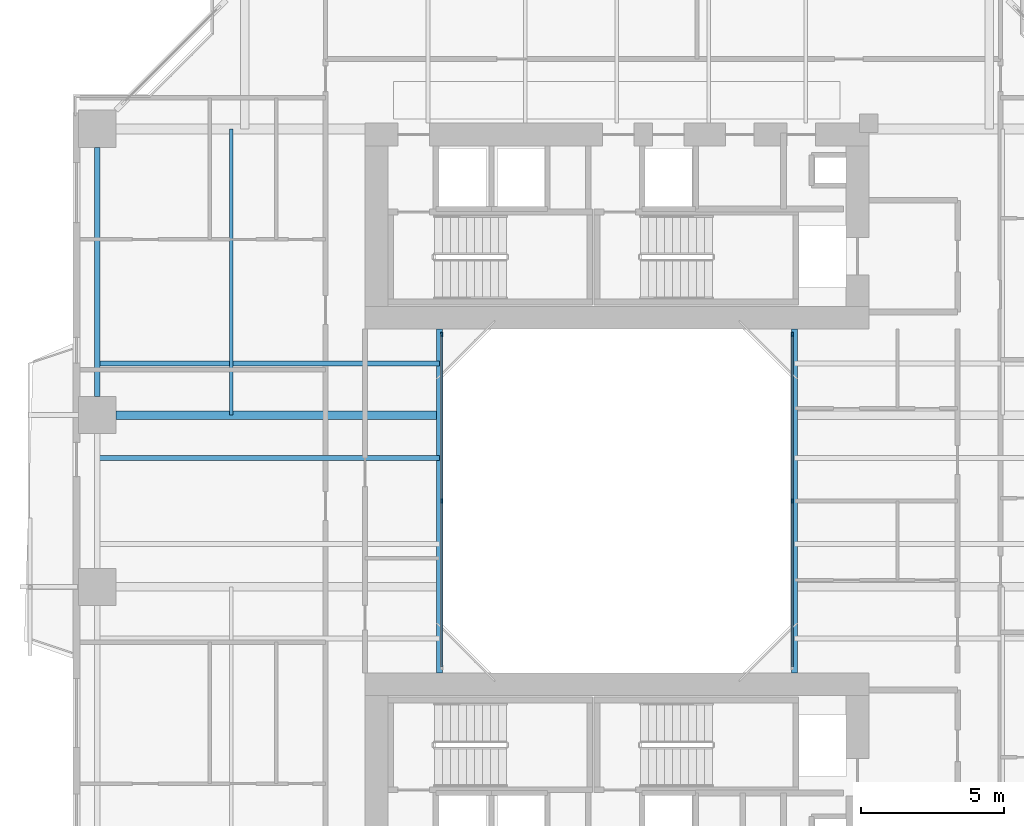
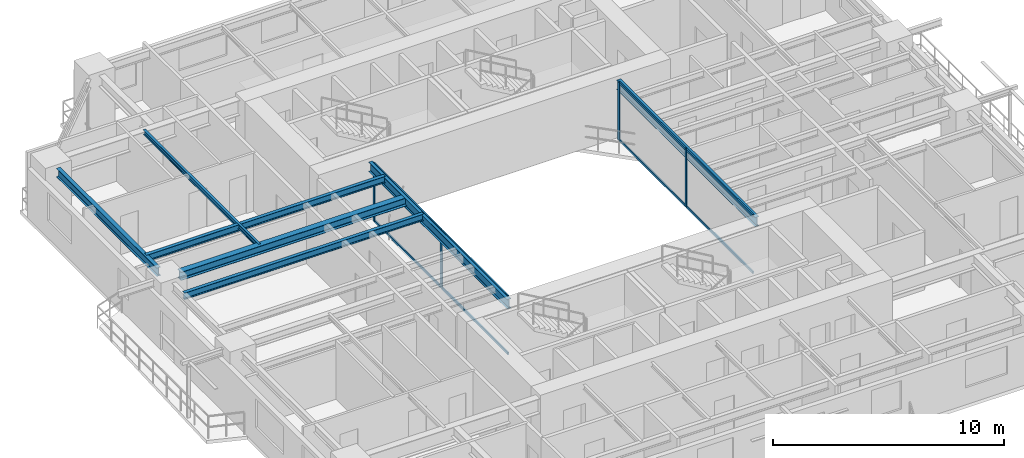
# One storey, part 4 of 24: 12 members, 7 beams, 2 elements without a shape of their own.
"""IFC4 building model written with IfcOpenShell, lengths in metres."""

from ifc_helpers import new_model, si_unit, direction, frame, origin, origin_2d, place, context, subcontext, project, spatial, rectangle, i_section, extrude, source, transform, mapped, material, layer, layer_set, material_profile, profile_set, type_object, element, aggregate, save


model = new_model("IFC4")

# Units and contexts
model_context = context("Model", 3, precision=1e-05, world=origin(), true_north=direction((0.0, 1.0)))
body_context = subcontext(model_context, "Body", "Model", "MODEL_VIEW")
ifc_project = project(units=[si_unit("LENGTHUNIT", "METRE"), si_unit("AREAUNIT", "SQUARE_METRE"), si_unit("VOLUMEUNIT", "CUBIC_METRE"), si_unit("PLANEANGLEUNIT", "RADIAN"), si_unit("MASSUNIT", "GRAM", prefix="KILO"), si_unit("THERMODYNAMICTEMPERATUREUNIT", "KELVIN"), si_unit("POWERUNIT", "WATT")], contexts=[model_context])

# Site, building, storey
site_placement = place(None, origin())
site = spatial("IfcSite", under=ifc_project, at=site_placement, CompositionType="ELEMENT")
building_placement = place(site_placement, origin())
building = spatial("IfcBuilding", under=site, at=building_placement, Name="Qiaomeng Ring Towers", CompositionType="ELEMENT")
storey_placement = place(building_placement, frame((0.0, 0.0, 56.75)))
storey = spatial("IfcBuildingStorey", under=building, at=storey_placement, Name="L15", CompositionType="ELEMENT", Elevation=56.75)

# Beams
ifc_material_1 = material(Name="Steel Q355B", Category="steel")
ifc_material_profile_1 = material_profile(ifc_material_1, i_section(OverallWidth=0.199951171875, OverallDepth=0.5, WebThickness=0.010009765625, FlangeThickness=0.01611328125, FilletRadius=0.02001953125, at=origin_2d()), Name="HN 500x200x10x16")
ifc_profile_set_1 = profile_set([ifc_material_profile_1], Name="Steel Q355B")
beam_type_1 = type_object("IfcBeamType", Name="STR-BM-HN500", PredefinedType="BEAM", material=ifc_profile_set_1)
shared_shape_1 = source(origin(), body_context, "Body", "SweptSolid", [
    extrude(i_section(OverallWidth=0.199951171875, OverallDepth=0.5, WebThickness=0.010009765625, FlangeThickness=0.01611328125, FilletRadius=0.02001953125, at=origin_2d()), origin(), (0.0, 0.0, 1.0), 12.0),
])
for number, where, z_axis, x_axis, name in (
    (1, (12.800048828125, 17.0, 2.820068359375), (0.0, 1.0, 0.0), (-1.0, 0.0, 0.0), "L15 beam STR-BM-L15-WELL-W"),
    (2, (25.199951171875, 17.0, 2.820068359375), (0.0, 1.0, 0.0), (-1.0, 0.0, 0.0), "L15 beam STR-BM-L15-WELL-E"),
):
    element("IfcBeam", number, at=place(storey_placement, frame(where, z_axis=z_axis, x_axis=x_axis)), inside=storey, type_object=beam_type_1, Name=name, PredefinedType="BEAM", context=body_context, shape_type="MappedRepresentation", body=[
        mapped(shared_shape_1, transform((0.0, 0.0, 0.0), x_axis=(1.0, 0.0, 0.0), y_axis=(0.0, 1.0, 0.0), z_axis=(0.0, 0.0, 1.0), scale=1.0)),
    ])
ifc_material_profile_2 = material_profile(ifc_material_1, i_section(OverallWidth=0.199951171875, OverallDepth=0.449951171875, WebThickness=0.009033203125, FlangeThickness=0.013916015625, FilletRadius=0.01806640625, at=origin_2d()), Name="HN 450x200x9x14")
ifc_profile_set_2 = profile_set([ifc_material_profile_2], Name="Steel Q355B")
beam_type_2 = type_object("IfcBeamType", Name="STR-BM-HN450", PredefinedType="SPANDREL", material=ifc_profile_set_2)
shared_shape_2 = source(origin(), body_context, "Body", "SweptSolid", [
    extrude(i_section(OverallWidth=0.199951171875, OverallDepth=0.449951171875, WebThickness=0.009033203125, FlangeThickness=0.013916015625, FilletRadius=0.01806640625, at=origin_2d()), origin(), (0.0, 0.0, 1.0), 8.7021484375),
])
beam_1_placement = place(storey_placement, frame((0.85009765625, 35.35107421875, 2.844970703125), z_axis=(0.0, -1.0, 0.0), x_axis=(1.0, 0.0, 0.0)))
element("IfcBeam", 3, at=beam_1_placement, inside=storey, type_object=beam_type_2, Name="L15 beam STR-SP-L15-T1-W4-W3", PredefinedType="SPANDREL", context=body_context, shape_type="MappedRepresentation", body=[
    mapped(shared_shape_2, transform((0.0, 0.0, 0.0), x_axis=(1.0, 0.0, 0.0), y_axis=(0.0, 1.0, 0.0), z_axis=(0.0, 0.0, 1.0), scale=1.0)),
])
ifc_material_profile_3 = material_profile(ifc_material_1, i_section(OverallWidth=0.300048828125, OverallDepth=0.43994140625, WebThickness=0.010986328125, FlangeThickness=0.01806640625, FilletRadius=0.02392578125, at=origin_2d()), Name="HM 440x300x11x18")
ifc_profile_set_3 = profile_set([ifc_material_profile_3], Name="Steel Q355B")
beam_type_3 = type_object("IfcBeamType", Name="STR-BM-HM440", PredefinedType="BEAM", material=ifc_profile_set_3)
shared_shape_3 = source(origin(), body_context, "Body", "SweptSolid", [
    extrude(i_section(OverallWidth=0.300048828125, OverallDepth=0.43994140625, WebThickness=0.010986328125, FlangeThickness=0.01806640625, FilletRadius=0.02392578125, at=origin_2d()), origin(), (0.0, 0.0, 1.0), 11.301025390625),
])
beam_2_placement = place(storey_placement, frame((1.4990234375, 26.0, 2.85009765625), z_axis=(1.0, 0.0, 0.0), x_axis=(0.0, 1.0, 0.0)))
element("IfcBeam", 4, at=beam_2_placement, inside=storey, type_object=beam_type_3, Name="L15 beam STR-BM-L15-T1-RAD-W3", PredefinedType="BEAM", context=body_context, shape_type="MappedRepresentation", body=[
    mapped(shared_shape_3, transform((0.0, 0.0, 0.0), x_axis=(1.0, 0.0, 0.0), y_axis=(0.0, 1.0, 0.0), z_axis=(0.0, 0.0, 1.0), scale=1.0)),
])
ifc_material_profile_4 = material_profile(ifc_material_1, i_section(OverallWidth=0.175048828125, OverallDepth=0.35009765625, WebThickness=0.007080078125, FlangeThickness=0.010986328125, FilletRadius=0.013916015625, at=origin_2d()), Name="HN 350x175x7x11")
ifc_profile_set_4 = profile_set([ifc_material_profile_4], Name="Steel Q355B")
beam_type_4 = type_object("IfcBeamType", Name="STR-BM-HN350", PredefinedType="JOIST", material=ifc_profile_set_4)
shared_shape_4 = source(origin(), body_context, "Body", "SweptSolid", [
    extrude(i_section(OverallWidth=0.175048828125, OverallDepth=0.35009765625, WebThickness=0.007080078125, FlangeThickness=0.010986328125, FilletRadius=0.013916015625, at=origin_2d()), origin(), (0.0, 0.0, 1.0), 11.949951171875),
])
for number, where, z_axis, x_axis, name in (
    (5, (0.85009765625, 24.5, 2.89501953125), (1.0, 0.0, 0.0), (0.0, 1.0, 0.0), "L15 beam STR-JST-L15-T1W-3"),
    (6, (0.85009765625, 27.800048828125, 2.89501953125), (1.0, 0.0, 0.0), (0.0, 1.0, 0.0), "L15 beam STR-JST-L15-T1W-4"),
):
    element("IfcBeam", number, at=place(storey_placement, frame(where, z_axis=z_axis, x_axis=x_axis)), inside=storey, type_object=beam_type_4, Name=name, PredefinedType="JOIST", context=body_context, shape_type="MappedRepresentation", body=[
        mapped(shared_shape_4, transform((0.0, 0.0, 0.0), x_axis=(1.0, 0.0, 0.0), y_axis=(0.0, 1.0, 0.0), z_axis=(0.0, 0.0, 1.0), scale=1.0)),
    ])
ifc_material_profile_5 = material_profile(ifc_material_1, i_section(OverallWidth=0.125, OverallDepth=0.25, WebThickness=0.006103515625, FlangeThickness=0.009033203125, FilletRadius=0.011962890625, at=origin_2d()), Name="HN 250x125x6x9")
ifc_profile_set_5 = profile_set([ifc_material_profile_5], Name="Steel Q355B")
beam_type_5 = type_object("IfcBeamType", Name="STR-BM-HN250", PredefinedType="JOIST", material=ifc_profile_set_5)
shared_shape_5 = source(origin(), body_context, "Body", "SweptSolid", [
    extrude(i_section(OverallWidth=0.125, OverallDepth=0.25, WebThickness=0.006103515625, FlangeThickness=0.009033203125, FilletRadius=0.011962890625, at=origin_2d()), origin(), (0.0, 0.0, 1.0), 10.0),
])
beam_3_placement = place(storey_placement, frame((5.52490234375, 26.0, 2.945068359375), z_axis=(0.0, 1.0, 0.0), x_axis=(-1.0, 0.0, 0.0)))
element("IfcBeam", 7, at=beam_3_placement, inside=storey, type_object=beam_type_5, Name="L15 beam STR-JST-L15-T1C-WN", PredefinedType="JOIST", context=body_context, shape_type="MappedRepresentation", body=[
    mapped(shared_shape_5, transform((0.0, 0.0, 0.0), x_axis=(1.0, 0.0, 0.0), y_axis=(0.0, 1.0, 0.0), z_axis=(0.0, 0.0, 1.0), scale=1.0)),
])

# Curtain wall, members
ifc_material_2 = material(Name="Fluorocarbon dark-grey aluminium", Category="aluminium")
ifc_layer = layer(ifc_material_2, 0.139892578125, Name="Fluorocarbon dark-grey aluminium")
ifc_layer_set = layer_set([ifc_layer], Name="Fluorocarbon dark-grey aluminium")
curtain_wall_type = type_object("IfcCurtainWallType", Name="ARC-CW-4", PredefinedType="NOTDEFINED", material=ifc_layer_set)
curtain_wall_1_placement = place(storey_placement, origin())
curtain_wall_1 = element("IfcCurtainWall", 8, at=curtain_wall_1_placement, inside=storey, type_object=curtain_wall_type, Name="L15 Curtain Wall CW4", PredefinedType="NOTDEFINED")
ifc_material_profile_6 = material_profile(ifc_material_2, rectangle(XDim=0.06494140625, YDim=0.159912109375, at=origin_2d()), Name="ALU MULL 65x160")
ifc_profile_set_6 = profile_set([ifc_material_profile_6], Name="Fluorocarbon dark-grey aluminium")
member_type_1 = type_object("IfcMemberType", Name="ARC-CWM-140", PredefinedType="MULLION", material=ifc_profile_set_6)
shared_shape_6 = source(origin(), body_context, "Body", "SweptSolid", [
    extrude(rectangle(XDim=0.06494140625, YDim=0.159912109375, at=origin_2d()), origin(), (0.0, 0.0, 1.0), 3.070068359375),
])
member_1_placement = place(storey_placement, frame((12.8798828125, 23.0, 0.0), z_axis=(0.0, 0.0, 1.0), x_axis=(-1.0, 0.0, 0.0)))
member_1 = element("IfcMember", 9, at=member_1_placement, type_object=member_type_1, Name="CW4 mullion 2", PredefinedType="MULLION", context=body_context, shape_type="MappedRepresentation", body=[
    mapped(shared_shape_6, transform((0.0, 0.0, 0.0), x_axis=(1.0, 0.0, 0.0), y_axis=(0.0, 1.0, 0.0), z_axis=(0.0, 0.0, 1.0), scale=1.0)),
])
member_2_placement = place(storey_placement, frame((12.8798828125, 28.8173828125, 0.0), z_axis=(0.0, 0.0, 1.0), x_axis=(-1.0, 0.0, 0.0)))
member_2 = element("IfcMember", 10, at=member_2_placement, type_object=member_type_1, Name="CW4 mullion 3", PredefinedType="MULLION", context=body_context, shape_type="MappedRepresentation", body=[
    mapped(shared_shape_6, transform((0.0, 0.0, 0.0), x_axis=(1.0, 0.0, 0.0), y_axis=(0.0, 1.0, 0.0), z_axis=(0.0, 0.0, 1.0), scale=1.0)),
])

curtain_wall_2_placement = place(storey_placement, origin())
curtain_wall_2 = element("IfcCurtainWall", 11, at=curtain_wall_2_placement, inside=storey, type_object=curtain_wall_type, Name="L15 Curtain Wall CW4", PredefinedType="NOTDEFINED")
member_3_placement = place(storey_placement, frame((25.1201171875, 23.0, 0.0), z_axis=(0.0, 0.0, 1.0), x_axis=(-1.0, 0.0, 0.0)))
member_3 = element("IfcMember", 12, at=member_3_placement, type_object=member_type_1, Name="CW4 mullion 2", PredefinedType="MULLION", context=body_context, shape_type="MappedRepresentation", body=[
    mapped(shared_shape_6, transform((0.0, 0.0, 0.0), x_axis=(1.0, 0.0, 0.0), y_axis=(0.0, 1.0, 0.0), z_axis=(0.0, 0.0, 1.0), scale=1.0)),
])
member_4_placement = place(storey_placement, frame((25.1201171875, 28.8173828125, 0.0), z_axis=(0.0, 0.0, 1.0), x_axis=(-1.0, 0.0, 0.0)))
member_4 = element("IfcMember", 13, at=member_4_placement, type_object=member_type_1, Name="CW4 mullion 3", PredefinedType="MULLION", context=body_context, shape_type="MappedRepresentation", body=[
    mapped(shared_shape_6, transform((0.0, 0.0, 0.0), x_axis=(1.0, 0.0, 0.0), y_axis=(0.0, 1.0, 0.0), z_axis=(0.0, 0.0, 1.0), scale=1.0)),
])

# Member
ifc_material_profile_7 = material_profile(ifc_material_2, rectangle(XDim=0.06494140625, YDim=0.1298828125, at=origin_2d()), Name="ALU TRAN 65x130")
ifc_profile_set_7 = profile_set([ifc_material_profile_7], Name="Fluorocarbon dark-grey aluminium")
member_type_2 = type_object("IfcMemberType", Name="ARC-CWT-120", PredefinedType="USERDEFINED", material=ifc_profile_set_7)
shared_shape_7 = source(origin(), body_context, "Body", "SweptSolid", [
    extrude(rectangle(XDim=0.06494140625, YDim=0.1298828125, at=origin_2d()), origin(), (0.0, 0.0, 1.0), 5.75244140625),
])
member_5_placement = place(storey_placement, frame((12.8798828125, 17.215087890625, 0.032470703125), z_axis=(0.0, 1.0, 0.0), x_axis=(-1.0, 0.0, 0.0)))
member_5 = element("IfcMember", 14, at=member_5_placement, type_object=member_type_2, Name="CW4 transom 1.1", ObjectType="TRANSOM", PredefinedType="USERDEFINED", context=body_context, shape_type="MappedRepresentation", body=[
    mapped(shared_shape_7, transform((0.0, 0.0, 0.0), x_axis=(1.0, 0.0, 0.0), y_axis=(0.0, 1.0, 0.0), z_axis=(0.0, 0.0, 1.0), scale=1.0)),
])

member_6_placement = place(storey_placement, frame((12.8798828125, 17.215087890625, 3.03759765625), z_axis=(0.0, 1.0, 0.0), x_axis=(-1.0, 0.0, 0.0)))
member_6 = element("IfcMember", 15, at=member_6_placement, type_object=member_type_2, Name="CW4 transom 1.2", ObjectType="TRANSOM", PredefinedType="USERDEFINED", context=body_context, shape_type="MappedRepresentation", body=[
    mapped(shared_shape_7, transform((0.0, 0.0, 0.0), x_axis=(1.0, 0.0, 0.0), y_axis=(0.0, 1.0, 0.0), z_axis=(0.0, 0.0, 1.0), scale=1.0)),
])

member_7_placement = place(storey_placement, frame((12.8798828125, 23.032470703125, 0.032470703125), z_axis=(0.0, 1.0, 0.0), x_axis=(-1.0, 0.0, 0.0)))
member_7 = element("IfcMember", 16, at=member_7_placement, type_object=member_type_2, Name="CW4 transom 2.1", ObjectType="TRANSOM", PredefinedType="USERDEFINED", context=body_context, shape_type="MappedRepresentation", body=[
    mapped(shared_shape_7, transform((0.0, 0.0, 0.0), x_axis=(1.0, 0.0, 0.0), y_axis=(0.0, 1.0, 0.0), z_axis=(0.0, 0.0, 1.0), scale=1.0)),
])

member_8_placement = place(storey_placement, frame((12.8798828125, 23.032470703125, 3.03759765625), z_axis=(0.0, 1.0, 0.0), x_axis=(-1.0, 0.0, 0.0)))
member_8 = element("IfcMember", 17, at=member_8_placement, type_object=member_type_2, Name="CW4 transom 2.2", ObjectType="TRANSOM", PredefinedType="USERDEFINED", context=body_context, shape_type="MappedRepresentation", body=[
    mapped(shared_shape_7, transform((0.0, 0.0, 0.0), x_axis=(1.0, 0.0, 0.0), y_axis=(0.0, 1.0, 0.0), z_axis=(0.0, 0.0, 1.0), scale=1.0)),
])

aggregate(curtain_wall_1, [member_1, member_2, member_5, member_6, member_7, member_8])

member_9_placement = place(storey_placement, frame((25.1201171875, 17.215087890625, 0.032470703125), z_axis=(0.0, 1.0, 0.0), x_axis=(-1.0, 0.0, 0.0)))
member_9 = element("IfcMember", 18, at=member_9_placement, type_object=member_type_2, Name="CW4 transom 1.1", ObjectType="TRANSOM", PredefinedType="USERDEFINED", context=body_context, shape_type="MappedRepresentation", body=[
    mapped(shared_shape_7, transform((0.0, 0.0, 0.0), x_axis=(1.0, 0.0, 0.0), y_axis=(0.0, 1.0, 0.0), z_axis=(0.0, 0.0, 1.0), scale=1.0)),
])

member_10_placement = place(storey_placement, frame((25.1201171875, 17.215087890625, 3.03759765625), z_axis=(0.0, 1.0, 0.0), x_axis=(-1.0, 0.0, 0.0)))
member_10 = element("IfcMember", 19, at=member_10_placement, type_object=member_type_2, Name="CW4 transom 1.2", ObjectType="TRANSOM", PredefinedType="USERDEFINED", context=body_context, shape_type="MappedRepresentation", body=[
    mapped(shared_shape_7, transform((0.0, 0.0, 0.0), x_axis=(1.0, 0.0, 0.0), y_axis=(0.0, 1.0, 0.0), z_axis=(0.0, 0.0, 1.0), scale=1.0)),
])

member_11_placement = place(storey_placement, frame((25.1201171875, 23.032470703125, 0.032470703125), z_axis=(0.0, 1.0, 0.0), x_axis=(-1.0, 0.0, 0.0)))
member_11 = element("IfcMember", 20, at=member_11_placement, type_object=member_type_2, Name="CW4 transom 2.1", ObjectType="TRANSOM", PredefinedType="USERDEFINED", context=body_context, shape_type="MappedRepresentation", body=[
    mapped(shared_shape_7, transform((0.0, 0.0, 0.0), x_axis=(1.0, 0.0, 0.0), y_axis=(0.0, 1.0, 0.0), z_axis=(0.0, 0.0, 1.0), scale=1.0)),
])

member_12_placement = place(storey_placement, frame((25.1201171875, 23.032470703125, 3.03759765625), z_axis=(0.0, 1.0, 0.0), x_axis=(-1.0, 0.0, 0.0)))
member_12 = element("IfcMember", 21, at=member_12_placement, type_object=member_type_2, Name="CW4 transom 2.2", ObjectType="TRANSOM", PredefinedType="USERDEFINED", context=body_context, shape_type="MappedRepresentation", body=[
    mapped(shared_shape_7, transform((0.0, 0.0, 0.0), x_axis=(1.0, 0.0, 0.0), y_axis=(0.0, 1.0, 0.0), z_axis=(0.0, 0.0, 1.0), scale=1.0)),
])

aggregate(curtain_wall_2, [member_3, member_4, member_9, member_10, member_11, member_12])

save(model, "model.ifc")
